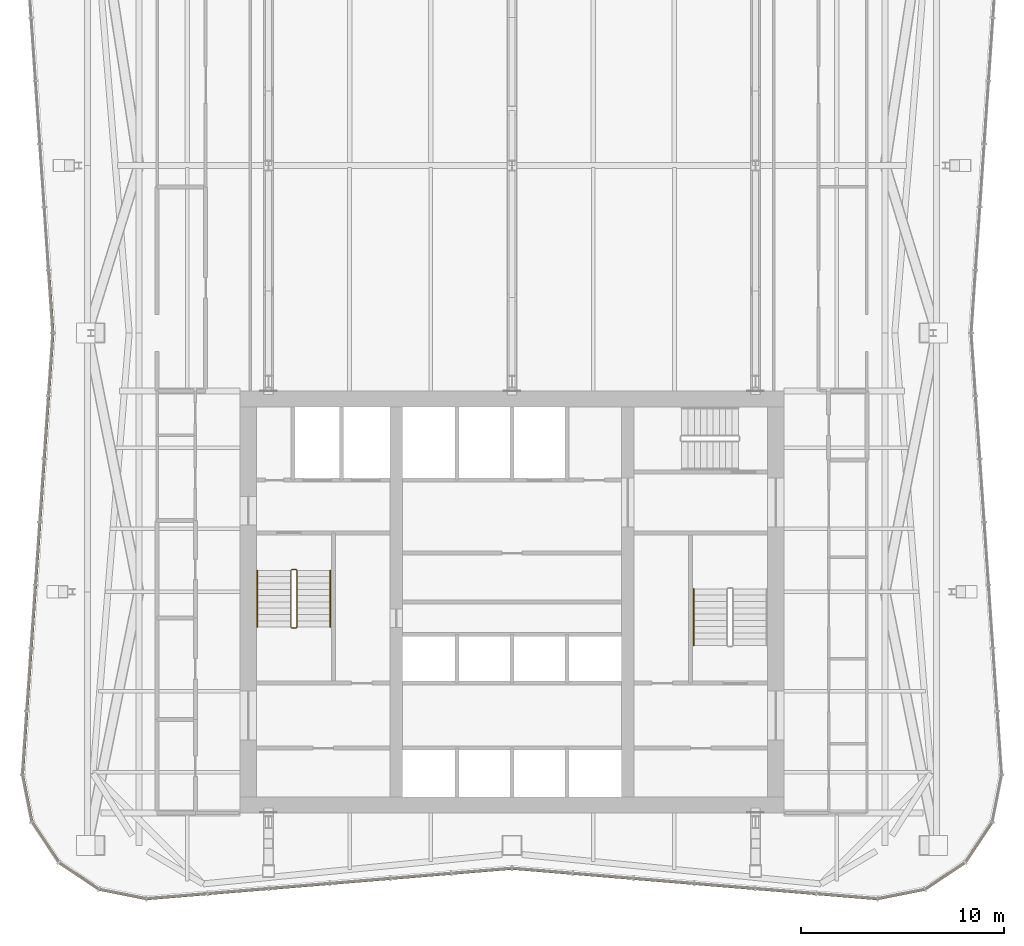
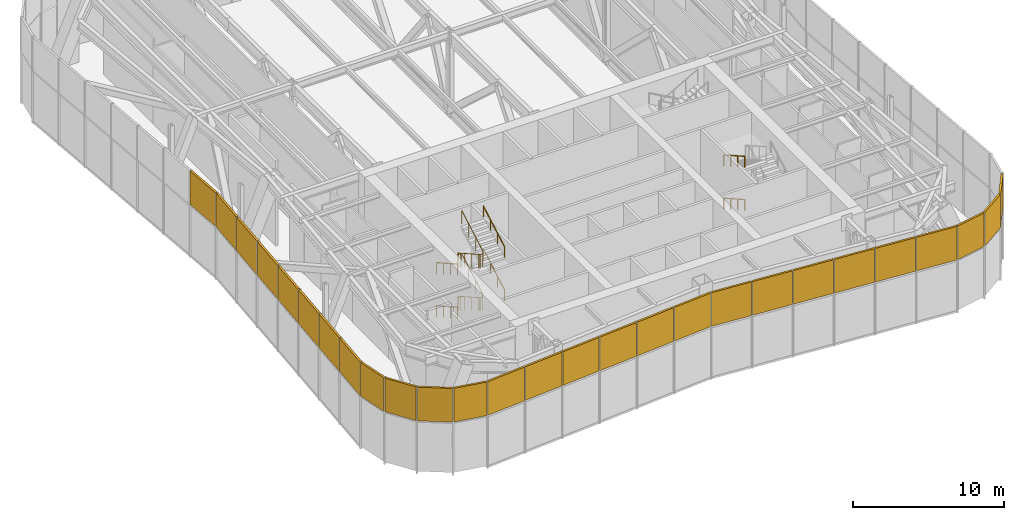
# One storey, part 15 of 17: 27 shading devices, 7 railings, 4 elements without a shape of their own.
"""IFC4 building model written with IfcOpenShell, lengths in metres."""

from ifc_helpers import new_model, si_unit, direction, frame, origin, origin_2d, place, context, subcontext, project, spatial, rectangle, circle, extrude, material, layer, layer_set, type_object, element, aggregate, save


model = new_model("IFC4")

# Units and contexts
model_context = context("Model", 3, precision=1e-05, world=origin(), true_north=direction((0.0, 1.0)))
body_context = subcontext(model_context, "Body", "Model", "MODEL_VIEW")
ifc_project = project(units=[si_unit("LENGTHUNIT", "METRE"), si_unit("AREAUNIT", "SQUARE_METRE"), si_unit("VOLUMEUNIT", "CUBIC_METRE"), si_unit("PLANEANGLEUNIT", "RADIAN"), si_unit("MASSUNIT", "GRAM", prefix="KILO")], contexts=[model_context])

# Site, building, storey
site_placement = place(None, origin())
site = spatial("IfcSite", under=ifc_project, at=site_placement, CompositionType="ELEMENT")
building_placement = place(site_placement, origin())
building = spatial("IfcBuilding", under=site, at=building_placement, Name="Verdant Reach Tower", CompositionType="ELEMENT")
storey_placement = place(building_placement, frame((0.0, 0.0, 282.0)))
storey = spatial("IfcBuildingStorey", under=building, at=storey_placement, Name="L65 Plant", CompositionType="ELEMENT", Elevation=282.0)

# Railings
ifc_material_1 = material(Name="Stainless steel", Category="steel")
railing_type_1 = type_object("IfcRailingType", Name="CO-GUARD", PredefinedType="GUARDRAIL", material=ifc_material_1)
railing_1_placement = place(storey_placement, frame((-10.64990234375, 29.60009765625, 0.0)))
element("IfcRailing", 1, at=railing_1_placement, inside=storey, type_object=railing_type_1, Name="L65 Plant ST-1 stair guard 1", PredefinedType="GUARDRAIL", context=body_context, shape_type="SweptSolid", body=[
    extrude(circle(Radius=0.02392578125, at=origin_2d()), frame((0.0, 0.0, 1.076171875), z_axis=(-1.0, 0.0, 0.0), x_axis=(0.0, -1.0, 0.0)), (0.0, 0.0, 1.0), 0.2001953125),
    extrude(circle(Radius=0.02392578125, at=origin_2d()), frame((-0.2001953125, 0.0, 1.076171875), z_axis=(-0.263862480399, -0.265155923931, 0.927399011991), x_axis=(0.708833529934, -0.705375805398, 0.0)), (0.0, 0.0, 1.0), 0.188720703125),
    extrude(circle(Radius=0.02392578125, at=origin_2d()), frame((-0.25, -0.050048828125, 1.2509765625), z_axis=(0.0, -0.870833779661, 0.491577591232), x_axis=(1.0, 0.0, 0.0)), (0.0, 0.0, 1.0), 3.203857421875),
    extrude(circle(Radius=0.02392578125, at=origin_2d()), frame((-0.25, -2.840087890625, 2.826171875), z_axis=(0.705375805398, -0.708833529934, 0.0), x_axis=(0.708833529934, 0.705375805398, 0.0)), (0.0, 0.0, 1.0), 0.070556640625),
    extrude(circle(Radius=0.02392578125, at=origin_2d()), frame((-0.2001953125, -2.89013671875, 2.826171875), z_axis=(1.0, 0.0, 0.0), x_axis=(0.0, 1.0, 0.0)), (0.0, 0.0, 1.0), 0.2001953125),
    extrude(circle(Radius=0.02392578125, at=origin_2d()), frame((0.0, -2.89013671875, 2.826171875), z_axis=(0.263862480399, 0.265155923931, 0.927399011991), x_axis=(-0.708833529934, 0.705375805398, 0.0)), (0.0, 0.0, 1.0), 0.188720703125),
    extrude(circle(Radius=0.02392578125, at=origin_2d()), frame((0.0498046875, -2.840087890625, 3.0009765625), z_axis=(0.0, 0.870833779661, 0.491577591232), x_axis=(-1.0, 0.0, 0.0)), (0.0, 0.0, 1.0), 3.203857421875),
    extrude(circle(Radius=0.02392578125, at=origin_2d()), frame((0.0498046875, -0.050048828125, 4.576171875), z_axis=(-0.705375805398, 0.708833529934, 0.0), x_axis=(-0.708833529934, -0.705375805398, 0.0)), (0.0, 0.0, 1.0), 0.070556640625),
    extrude(circle(Radius=0.02392578125, at=origin_2d()), frame((0.0, 0.0, 4.576171875), z_axis=(-1.0, 0.0, 0.0), x_axis=(0.0, -1.0, 0.0)), (0.0, 0.0, 1.0), 0.2001953125),
    extrude(circle(Radius=0.02392578125, at=origin_2d()), frame((-0.2001953125, 0.0, 4.576171875), z_axis=(-0.263862480399, -0.265155923931, 0.927399011991), x_axis=(0.708833529934, -0.705375805398, 0.0)), (0.0, 0.0, 1.0), 0.188720703125),
    extrude(circle(Radius=0.02392578125, at=origin_2d()), frame((-0.25, -0.050048828125, 4.7509765625), z_axis=(0.0, -0.870833779661, 0.491577591232), x_axis=(1.0, 0.0, 0.0)), (0.0, 0.0, 1.0), 3.203857421875),
    extrude(circle(Radius=0.02392578125, at=origin_2d()), frame((-0.25, -2.840087890625, 6.326171875), z_axis=(0.705375805398, -0.708833529934, 0.0), x_axis=(0.708833529934, 0.705375805398, 0.0)), (0.0, 0.0, 1.0), 0.070556640625),
    extrude(circle(Radius=0.02392578125, at=origin_2d()), frame((-0.2001953125, -2.89013671875, 6.326171875), z_axis=(1.0, 0.0, 0.0), x_axis=(0.0, 1.0, 0.0)), (0.0, 0.0, 1.0), 0.2001953125),
    extrude(circle(Radius=0.02392578125, at=origin_2d()), frame((0.0, -2.89013671875, 6.326171875), z_axis=(0.263862480399, 0.265155923931, 0.927399011991), x_axis=(-0.708833529934, 0.705375805398, 0.0)), (0.0, 0.0, 1.0), 0.188720703125),
    extrude(circle(Radius=0.02392578125, at=origin_2d()), frame((0.0498046875, -2.840087890625, 6.5009765625), z_axis=(0.0, 0.870833779661, 0.491577591232), x_axis=(-1.0, 0.0, 0.0)), (0.0, 0.0, 1.0), 3.203857421875),
    extrude(circle(Radius=0.02099609375, at=origin_2d()), origin(), (0.0, 0.0, 1.0), 1.052001953125),
    extrude(circle(Radius=0.02099609375, at=origin_2d()), frame((-0.2001953125, 0.0, 0.0)), (0.0, 0.0, 1.0), 1.052001953125),
    extrude(circle(Radius=0.02099609375, at=origin_2d()), frame((-0.25, -0.050048828125, 0.175048828125)), (0.0, 0.0, 1.0), 1.052001953125),
    extrude(circle(Radius=0.02099609375, at=origin_2d()), frame((-0.25, -0.97998046875, 0.699951171875)), (0.0, 0.0, 1.0), 1.052001953125),
    extrude(circle(Radius=0.02099609375, at=origin_2d()), frame((-0.25, -1.91015625, 1.22509765625)), (0.0, 0.0, 1.0), 1.052001953125),
    extrude(circle(Radius=0.02099609375, at=origin_2d()), frame((-0.25, -2.840087890625, 1.75)), (0.0, 0.0, 1.0), 1.052001953125),
    extrude(circle(Radius=0.02099609375, at=origin_2d()), frame((-0.2001953125, -2.89013671875, 1.75)), (0.0, 0.0, 1.0), 1.052001953125),
    extrude(circle(Radius=0.02099609375, at=origin_2d()), frame((0.0, -2.89013671875, 1.75)), (0.0, 0.0, 1.0), 1.052001953125),
    extrude(circle(Radius=0.02099609375, at=origin_2d()), frame((0.0498046875, -2.840087890625, 1.925048828125)), (0.0, 0.0, 1.0), 1.052001953125),
    extrude(circle(Radius=0.02099609375, at=origin_2d()), frame((0.0498046875, -1.91015625, 2.449951171875)), (0.0, 0.0, 1.0), 1.052001953125),
    extrude(circle(Radius=0.02099609375, at=origin_2d()), frame((0.0498046875, -0.97998046875, 2.97509765625)), (0.0, 0.0, 1.0), 1.052001953125),
    extrude(circle(Radius=0.02099609375, at=origin_2d()), frame((0.0498046875, -0.050048828125, 3.5)), (0.0, 0.0, 1.0), 1.052001953125),
    extrude(circle(Radius=0.02099609375, at=origin_2d()), frame((0.0, 0.0, 3.5)), (0.0, 0.0, 1.0), 1.052001953125),
    extrude(circle(Radius=0.02099609375, at=origin_2d()), frame((-0.2001953125, 0.0, 3.5)), (0.0, 0.0, 1.0), 1.052001953125),
    extrude(circle(Radius=0.02099609375, at=origin_2d()), frame((-0.25, -0.050048828125, 3.675048828125)), (0.0, 0.0, 1.0), 1.052001953125),
    extrude(circle(Radius=0.02099609375, at=origin_2d()), frame((-0.25, -0.97998046875, 4.199951171875)), (0.0, 0.0, 1.0), 1.052001953125),
    extrude(circle(Radius=0.02099609375, at=origin_2d()), frame((-0.25, -1.91015625, 4.72509765625)), (0.0, 0.0, 1.0), 1.052001953125),
    extrude(circle(Radius=0.02099609375, at=origin_2d()), frame((-0.25, -2.840087890625, 5.25)), (0.0, 0.0, 1.0), 1.052001953125),
    extrude(circle(Radius=0.02099609375, at=origin_2d()), frame((-0.2001953125, -2.89013671875, 5.25)), (0.0, 0.0, 1.0), 1.052001953125),
    extrude(circle(Radius=0.02099609375, at=origin_2d()), frame((0.0, -2.89013671875, 5.25)), (0.0, 0.0, 1.0), 1.052001953125),
    extrude(circle(Radius=0.02099609375, at=origin_2d()), frame((0.0498046875, -2.840087890625, 5.425048828125)), (0.0, 0.0, 1.0), 1.052001953125),
    extrude(circle(Radius=0.02099609375, at=origin_2d()), frame((0.0498046875, -1.91015625, 5.949951171875)), (0.0, 0.0, 1.0), 1.052001953125),
    extrude(circle(Radius=0.02099609375, at=origin_2d()), frame((0.0498046875, -0.97998046875, 6.47509765625)), (0.0, 0.0, 1.0), 1.052001953125),
    extrude(circle(Radius=0.02099609375, at=origin_2d()), frame((0.0498046875, -0.050048828125, 7.0)), (0.0, 0.0, 1.0), 1.052001953125),
])
railing_type_2 = type_object("IfcRailingType", Name="CO-HANDRAIL", PredefinedType="HANDRAIL", material=ifc_material_1)
railing_2_placement = place(storey_placement, frame((-12.550048828125, 29.550048828125, 0.175048828125)))
element("IfcRailing", 2, at=railing_2_placement, inside=storey, type_object=railing_type_2, Name="L65 Plant ST-1 stair handrail 1", PredefinedType="HANDRAIL", context=body_context, shape_type="SweptSolid", body=[
    extrude(circle(Radius=0.02392578125, at=origin_2d()), frame((0.0, 0.0, 0.8759765625), z_axis=(0.0, -0.870833779661, 0.491577591232), x_axis=(1.0, 0.0, 0.0)), (0.0, 0.0, 1.0), 3.203857421875),
    extrude(circle(Radius=0.02099609375, at=origin_2d()), origin(), (0.0, 0.0, 1.0), 0.851806640625),
    extrude(circle(Radius=0.02099609375, at=origin_2d()), frame((0.0, -0.929931640625, 0.52490234375)), (0.0, 0.0, 1.0), 0.851806640625),
    extrude(circle(Radius=0.02099609375, at=origin_2d()), frame((0.0, -1.860107421875, 1.050048828125)), (0.0, 0.0, 1.0), 0.851806640625),
    extrude(circle(Radius=0.02099609375, at=origin_2d()), frame((0.0, -2.7900390625, 1.574951171875)), (0.0, 0.0, 1.0), 0.851806640625),
])
railing_3_placement = place(storey_placement, frame((-8.949951171875, 26.760009765625, 1.925048828125)))
element("IfcRailing", 3, at=railing_3_placement, inside=storey, type_object=railing_type_2, Name="L65 Plant ST-1 stair handrail 2", PredefinedType="HANDRAIL", context=body_context, shape_type="SweptSolid", body=[
    extrude(circle(Radius=0.02392578125, at=origin_2d()), frame((0.0, 0.0, 0.8759765625), z_axis=(0.0, 0.870833779661, 0.491577591232), x_axis=(-1.0, 0.0, 0.0)), (0.0, 0.0, 1.0), 3.203857421875),
    extrude(circle(Radius=0.02099609375, at=origin_2d()), origin(), (0.0, 0.0, 1.0), 0.851806640625),
    extrude(circle(Radius=0.02099609375, at=origin_2d()), frame((0.0, 0.929931640625, 0.52490234375)), (0.0, 0.0, 1.0), 0.851806640625),
    extrude(circle(Radius=0.02099609375, at=origin_2d()), frame((0.0, 1.860107421875, 1.050048828125)), (0.0, 0.0, 1.0), 0.851806640625),
    extrude(circle(Radius=0.02099609375, at=origin_2d()), frame((0.0, 2.7900390625, 1.574951171875)), (0.0, 0.0, 1.0), 0.851806640625),
])
railing_4_placement = place(storey_placement, frame((-12.550048828125, 29.550048828125, 3.675048828125)))
element("IfcRailing", 4, at=railing_4_placement, inside=storey, type_object=railing_type_2, Name="L65 Plant ST-1 stair handrail 3", PredefinedType="HANDRAIL", context=body_context, shape_type="SweptSolid", body=[
    extrude(circle(Radius=0.02392578125, at=origin_2d()), frame((0.0, 0.0, 0.8759765625), z_axis=(0.0, -0.870833779661, 0.491577591232), x_axis=(1.0, 0.0, 0.0)), (0.0, 0.0, 1.0), 3.203857421875),
    extrude(circle(Radius=0.02099609375, at=origin_2d()), origin(), (0.0, 0.0, 1.0), 0.851806640625),
    extrude(circle(Radius=0.02099609375, at=origin_2d()), frame((0.0, -0.929931640625, 0.52490234375)), (0.0, 0.0, 1.0), 0.851806640625),
    extrude(circle(Radius=0.02099609375, at=origin_2d()), frame((0.0, -1.860107421875, 1.050048828125)), (0.0, 0.0, 1.0), 0.851806640625),
    extrude(circle(Radius=0.02099609375, at=origin_2d()), frame((0.0, -2.7900390625, 1.574951171875)), (0.0, 0.0, 1.0), 0.851806640625),
])
railing_5_placement = place(storey_placement, frame((-8.949951171875, 26.760009765625, 5.425048828125)))
element("IfcRailing", 5, at=railing_5_placement, inside=storey, type_object=railing_type_2, Name="L65 Plant ST-1 stair handrail 4", PredefinedType="HANDRAIL", context=body_context, shape_type="SweptSolid", body=[
    extrude(circle(Radius=0.02392578125, at=origin_2d()), frame((0.0, 0.0, 0.8759765625), z_axis=(0.0, 0.870833779661, 0.491577591232), x_axis=(-1.0, 0.0, 0.0)), (0.0, 0.0, 1.0), 3.203857421875),
    extrude(circle(Radius=0.02099609375, at=origin_2d()), origin(), (0.0, 0.0, 1.0), 0.851806640625),
    extrude(circle(Radius=0.02099609375, at=origin_2d()), frame((0.0, 0.929931640625, 0.52490234375)), (0.0, 0.0, 1.0), 0.851806640625),
    extrude(circle(Radius=0.02099609375, at=origin_2d()), frame((0.0, 1.860107421875, 1.050048828125)), (0.0, 0.0, 1.0), 0.851806640625),
    extrude(circle(Radius=0.02099609375, at=origin_2d()), frame((0.0, 2.7900390625, 1.574951171875)), (0.0, 0.0, 1.0), 0.851806640625),
])
for number, where, name in (
    (6, (8.949951171875, 28.639892578125, 1.925048828125), "L65 Plant ST-2 stair handrail 2"),
    (7, (8.949951171875, 28.639892578125, 5.425048828125), "L65 Plant ST-2 stair handrail 4"),
):
    element("IfcRailing", number, at=place(storey_placement, frame(where)), inside=storey, type_object=railing_type_2, Name=name, PredefinedType="HANDRAIL", context=body_context, shape_type="SweptSolid", body=[
        extrude(circle(Radius=0.02392578125, at=origin_2d()), frame((0.0, 0.0, 0.8759765625), z_axis=(0.0, -0.870815363784, 0.491610213684), x_axis=(1.0, 0.0, 0.0)), (0.0, 0.0, 1.0), 3.20361328125),
        extrude(circle(Radius=0.02099609375, at=origin_2d()), origin(), (0.0, 0.0, 1.0), 0.851806640625),
        extrude(circle(Radius=0.02099609375, at=origin_2d()), frame((0.0, -0.929931640625, 0.52490234375)), (0.0, 0.0, 1.0), 0.851806640625),
        extrude(circle(Radius=0.02099609375, at=origin_2d()), frame((0.0, -1.85986328125, 1.050048828125)), (0.0, 0.0, 1.0), 0.851806640625),
        extrude(circle(Radius=0.02099609375, at=origin_2d()), frame((0.0, -2.789794921875, 1.574951171875)), (0.0, 0.0, 1.0), 0.851806640625),
    ])

# Curtain wall, shading devices
ifc_material_2 = material(Name="Anodised aluminium", Category="aluminium")
curtain_wall_type = type_object("IfcCurtainWallType", Name="EN-CW SYSTEM PLANT", PredefinedType="NOTDEFINED", material=ifc_material_2)
curtain_wall_1_placement = place(storey_placement, origin())
curtain_wall_1 = element("IfcCurtainWall", 8, at=curtain_wall_1_placement, inside=storey, type_object=curtain_wall_type, Name="Curtain wall south-east corner, L65", PredefinedType="NOTDEFINED")
ifc_material_3 = material(Name="Bronze anodised aluminium louvre", Category="aluminium")
ifc_layer = layer(ifc_material_3, 0.14990234375)
ifc_layer_set = layer_set([ifc_layer], Name="EN-LOUVRE")
shading_device_type = type_object("IfcShadingDeviceType", Name="EN-LOUVRE", PredefinedType="USERDEFINED", material=ifc_layer_set)
shading_device_1_placement = place(storey_placement, frame((19.174072265625, 13.614013671875, 3.925048828125), z_axis=(0.0, 0.0, 1.0), x_axis=(0.980694678629, 0.195545256419, 0.0)))
shading_device_1 = element("IfcShadingDevice", 9, at=shading_device_1_placement, type_object=shading_device_type, Name="Louvre bank south-east corner 1, L65", ObjectType="LOUVRE", PredefinedType="USERDEFINED", context=body_context, shape_type="SweptSolid", body=[
    extrude(rectangle(XDim=2.304931640625, YDim=0.14990234375, at=origin_2d()), origin(), (0.0, 0.0, 1.0), 2.72509765625),
])
shading_device_2_placement = place(storey_placement, frame((21.334228515625, 14.510009765625, 3.925048828125), z_axis=(0.0, 0.0, 1.0), x_axis=(0.83145208321, 0.555596466265, 0.0)))
shading_device_2 = element("IfcShadingDevice", 10, at=shading_device_2_placement, type_object=shading_device_type, Name="Louvre bank south-east corner 2, L65", ObjectType="LOUVRE", PredefinedType="USERDEFINED", context=body_context, shape_type="SweptSolid", body=[
    extrude(rectangle(XDim=2.3115234375, YDim=0.14990234375, at=origin_2d()), origin(), (0.0, 0.0, 1.0), 2.72509765625),
])
shading_device_3_placement = place(storey_placement, frame((22.989990234375, 16.165771484375, 3.925048828125), z_axis=(0.0, 0.0, 1.0), x_axis=(0.555596466265, 0.83145208321, 0.0)))
shading_device_3 = element("IfcShadingDevice", 11, at=shading_device_3_placement, type_object=shading_device_type, Name="Louvre bank south-east corner 3, L65", ObjectType="LOUVRE", PredefinedType="USERDEFINED", context=body_context, shape_type="SweptSolid", body=[
    extrude(rectangle(XDim=2.3115234375, YDim=0.14990234375, at=origin_2d()), origin(), (0.0, 0.0, 1.0), 2.72509765625),
])
aggregate(curtain_wall_1, [shading_device_1, shading_device_2, shading_device_3])

curtain_wall_2_placement = place(storey_placement, origin())
curtain_wall_2 = element("IfcCurtainWall", 12, at=curtain_wall_2_placement, inside=storey, type_object=curtain_wall_type, Name="Curtain wall west, L65", PredefinedType="NOTDEFINED")
shading_device_4_placement = place(storey_placement, frame((-22.72607421875, 42.799560546875, 3.925048828125), z_axis=(0.0, 0.0, 1.0), x_axis=(0.068892655483, -0.997624078509, 0.0)))
shading_device_4 = element("IfcShadingDevice", 13, at=shading_device_4_placement, type_object=shading_device_type, Name="Louvre bank west face part 1 7, L65", ObjectType="LOUVRE", PredefinedType="USERDEFINED", context=body_context, shape_type="SweptSolid", body=[
    extrude(rectangle(XDim=3.0302734375, YDim=0.14990234375, at=origin_2d()), origin(), (0.0, 0.0, 1.0), 2.72509765625),
])
shading_device_5_placement = place(storey_placement, frame((-22.72607421875, 39.700439453125, 3.925048828125), z_axis=(0.0, 0.0, 1.0), x_axis=(-0.068892655483, -0.997624078509, 0.0)))
shading_device_5 = element("IfcShadingDevice", 14, at=shading_device_5_placement, type_object=shading_device_type, Name="Louvre bank west face part 2 1, L65", ObjectType="LOUVRE", PredefinedType="USERDEFINED", context=body_context, shape_type="SweptSolid", body=[
    extrude(rectangle(XDim=3.0302734375, YDim=0.14990234375, at=origin_2d()), origin(), (0.0, 0.0, 1.0), 2.72509765625),
])
shading_device_6_placement = place(storey_placement, frame((-22.940185546875, 36.597412109375, 3.925048828125), z_axis=(0.0, 0.0, 1.0), x_axis=(-0.068802091615, -0.997630328423, 0.0)))
shading_device_6 = element("IfcShadingDevice", 15, at=shading_device_6_placement, type_object=shading_device_type, Name="Louvre bank west face part 2 2, L65", ObjectType="LOUVRE", PredefinedType="USERDEFINED", context=body_context, shape_type="SweptSolid", body=[
    extrude(rectangle(XDim=3.03857421875, YDim=0.14990234375, at=origin_2d()), origin(), (0.0, 0.0, 1.0), 2.72509765625),
])
shading_device_7_placement = place(storey_placement, frame((-23.154541015625, 33.490234375, 3.925048828125), z_axis=(0.0, 0.0, 1.0), x_axis=(-0.068802091615, -0.997630328423, 0.0)))
shading_device_7 = element("IfcShadingDevice", 16, at=shading_device_7_placement, type_object=shading_device_type, Name="Louvre bank west face part 2 3, L65", ObjectType="LOUVRE", PredefinedType="USERDEFINED", context=body_context, shape_type="SweptSolid", body=[
    extrude(rectangle(XDim=3.03857421875, YDim=0.14990234375, at=origin_2d()), origin(), (0.0, 0.0, 1.0), 2.72509765625),
])
shading_device_8_placement = place(storey_placement, frame((-23.36865234375, 30.38330078125, 3.925048828125), z_axis=(0.0, 0.0, 1.0), x_axis=(-0.068802091615, -0.997630328423, 0.0)))
shading_device_8 = element("IfcShadingDevice", 17, at=shading_device_8_placement, type_object=shading_device_type, Name="Louvre bank west face part 2 4, L65", ObjectType="LOUVRE", PredefinedType="USERDEFINED", context=body_context, shape_type="SweptSolid", body=[
    extrude(rectangle(XDim=3.03857421875, YDim=0.14990234375, at=origin_2d()), origin(), (0.0, 0.0, 1.0), 2.72509765625),
])
shading_device_9_placement = place(storey_placement, frame((-23.5830078125, 27.276123046875, 3.925048828125), z_axis=(0.0, 0.0, 1.0), x_axis=(-0.068802091615, -0.997630328423, 0.0)))
shading_device_9 = element("IfcShadingDevice", 18, at=shading_device_9_placement, type_object=shading_device_type, Name="Louvre bank west face part 2 5, L65", ObjectType="LOUVRE", PredefinedType="USERDEFINED", context=body_context, shape_type="SweptSolid", body=[
    extrude(rectangle(XDim=3.03857421875, YDim=0.14990234375, at=origin_2d()), origin(), (0.0, 0.0, 1.0), 2.72509765625),
])
shading_device_10_placement = place(storey_placement, frame((-23.79736328125, 24.1689453125, 3.925048828125), z_axis=(0.0, 0.0, 1.0), x_axis=(-0.068802091615, -0.997630328423, 0.0)))
shading_device_10 = element("IfcShadingDevice", 19, at=shading_device_10_placement, type_object=shading_device_type, Name="Louvre bank west face part 2 6, L65", ObjectType="LOUVRE", PredefinedType="USERDEFINED", context=body_context, shape_type="SweptSolid", body=[
    extrude(rectangle(XDim=3.03857421875, YDim=0.14990234375, at=origin_2d()), origin(), (0.0, 0.0, 1.0), 2.72509765625),
])
shading_device_11_placement = place(storey_placement, frame((-24.011474609375, 21.053955078125, 3.925048828125), z_axis=(0.0, 0.0, 1.0), x_axis=(-0.068469163133, -0.997653233193, 0.0)))
shading_device_11 = element("IfcShadingDevice", 20, at=shading_device_11_placement, type_object=shading_device_type, Name="Louvre bank west face part 2 7, L65", ObjectType="LOUVRE", PredefinedType="USERDEFINED", context=body_context, shape_type="SweptSolid", body=[
    extrude(rectangle(XDim=3.05419921875, YDim=0.14990234375, at=origin_2d()), origin(), (0.0, 0.0, 1.0), 2.72509765625),
])
aggregate(curtain_wall_2, [shading_device_4, shading_device_5, shading_device_6, shading_device_7, shading_device_8, shading_device_9, shading_device_10, shading_device_11])

curtain_wall_3_placement = place(storey_placement, origin())
curtain_wall_3 = element("IfcCurtainWall", 21, at=curtain_wall_3_placement, inside=storey, type_object=curtain_wall_type, Name="Curtain wall south-west corner, L65", PredefinedType="NOTDEFINED")
shading_device_12_placement = place(storey_placement, frame((-23.885986328125, 18.325439453125, 3.925048828125), z_axis=(0.0, 0.0, 1.0), x_axis=(0.195592962334, -0.980685165119, 0.0)))
shading_device_12 = element("IfcShadingDevice", 22, at=shading_device_12_placement, type_object=shading_device_type, Name="Louvre bank south-west corner 1, L65", ObjectType="LOUVRE", PredefinedType="USERDEFINED", context=body_context, shape_type="SweptSolid", body=[
    extrude(rectangle(XDim=2.303955078125, YDim=0.14990234375, at=origin_2d()), origin(), (0.0, 0.0, 1.0), 2.72509765625),
])
shading_device_13_placement = place(storey_placement, frame((-22.989990234375, 16.165771484375, 3.925048828125), z_axis=(0.0, 0.0, 1.0), x_axis=(0.555596466265, -0.83145208321, 0.0)))
shading_device_13 = element("IfcShadingDevice", 23, at=shading_device_13_placement, type_object=shading_device_type, Name="Louvre bank south-west corner 2, L65", ObjectType="LOUVRE", PredefinedType="USERDEFINED", context=body_context, shape_type="SweptSolid", body=[
    extrude(rectangle(XDim=2.3115234375, YDim=0.14990234375, at=origin_2d()), origin(), (0.0, 0.0, 1.0), 2.72509765625),
])
shading_device_14_placement = place(storey_placement, frame((-21.334228515625, 14.510009765625, 3.925048828125), z_axis=(0.0, 0.0, 1.0), x_axis=(0.83145208321, -0.555596466265, 0.0)))
shading_device_14 = element("IfcShadingDevice", 24, at=shading_device_14_placement, type_object=shading_device_type, Name="Louvre bank south-west corner 3, L65", ObjectType="LOUVRE", PredefinedType="USERDEFINED", context=body_context, shape_type="SweptSolid", body=[
    extrude(rectangle(XDim=2.3115234375, YDim=0.14990234375, at=origin_2d()), origin(), (0.0, 0.0, 1.0), 2.72509765625),
])
shading_device_15_placement = place(storey_placement, frame((-19.174072265625, 13.614013671875, 3.925048828125), z_axis=(0.0, 0.0, 1.0), x_axis=(0.980694678629, -0.195545256419, 0.0)))
shading_device_15 = element("IfcShadingDevice", 25, at=shading_device_15_placement, type_object=shading_device_type, Name="Louvre bank south-west corner 4, L65", ObjectType="LOUVRE", PredefinedType="USERDEFINED", context=body_context, shape_type="SweptSolid", body=[
    extrude(rectangle(XDim=2.304931640625, YDim=0.14990234375, at=origin_2d()), origin(), (0.0, 0.0, 1.0), 2.72509765625),
])
aggregate(curtain_wall_3, [shading_device_12, shading_device_13, shading_device_14, shading_device_15])

curtain_wall_4_placement = place(storey_placement, origin())
curtain_wall_4 = element("IfcCurtainWall", 26, at=curtain_wall_4_placement, inside=storey, type_object=curtain_wall_type, Name="Curtain wall south, L65", PredefinedType="NOTDEFINED")
shading_device_16_placement = place(storey_placement, frame((-16.49853515625, 13.50634765625, 3.925048828125), z_axis=(0.0, 0.0, 1.0), x_axis=(0.996577509664, 0.082663578629, 0.0)))
shading_device_16 = element("IfcShadingDevice", 27, at=shading_device_16_placement, type_object=shading_device_type, Name="Louvre bank south face part 1 1, L65", ObjectType="LOUVRE", PredefinedType="USERDEFINED", context=body_context, shape_type="SweptSolid", body=[
    extrude(rectangle(XDim=2.950927734375, YDim=0.14990234375, at=origin_2d()), origin(), (0.0, 0.0, 1.0), 2.72509765625),
])
shading_device_17_placement = place(storey_placement, frame((-13.490234375, 13.75634765625, 3.925048828125), z_axis=(0.0, 0.0, 1.0), x_axis=(0.996545758244, 0.083045479859, 0.0)))
shading_device_17 = element("IfcShadingDevice", 28, at=shading_device_17_placement, type_object=shading_device_type, Name="Louvre bank south face part 1 2, L65", ObjectType="LOUVRE", PredefinedType="USERDEFINED", context=body_context, shape_type="SweptSolid", body=[
    extrude(rectangle(XDim=2.934326171875, YDim=0.14990234375, at=origin_2d()), origin(), (0.0, 0.0, 1.0), 2.72509765625),
])
shading_device_18_placement = place(storey_placement, frame((-10.490234375, 14.00634765625, 3.925048828125), z_axis=(0.0, 0.0, 1.0), x_axis=(0.996545758244, 0.083045479859, 0.0)))
shading_device_18 = element("IfcShadingDevice", 29, at=shading_device_18_placement, type_object=shading_device_type, Name="Louvre bank south face part 1 3, L65", ObjectType="LOUVRE", PredefinedType="USERDEFINED", context=body_context, shape_type="SweptSolid", body=[
    extrude(rectangle(XDim=2.934326171875, YDim=0.14990234375, at=origin_2d()), origin(), (0.0, 0.0, 1.0), 2.72509765625),
])
shading_device_19_placement = place(storey_placement, frame((-7.490234375, 14.25634765625, 3.925048828125), z_axis=(0.0, 0.0, 1.0), x_axis=(0.996545758244, 0.083045479859, 0.0)))
shading_device_19 = element("IfcShadingDevice", 30, at=shading_device_19_placement, type_object=shading_device_type, Name="Louvre bank south face part 1 4, L65", ObjectType="LOUVRE", PredefinedType="USERDEFINED", context=body_context, shape_type="SweptSolid", body=[
    extrude(rectangle(XDim=2.934326171875, YDim=0.14990234375, at=origin_2d()), origin(), (0.0, 0.0, 1.0), 2.72509765625),
])
shading_device_20_placement = place(storey_placement, frame((-4.490234375, 14.50634765625, 3.925048828125), z_axis=(0.0, 0.0, 1.0), x_axis=(0.996545758244, 0.083045479859, 0.0)))
shading_device_20 = element("IfcShadingDevice", 31, at=shading_device_20_placement, type_object=shading_device_type, Name="Louvre bank south face part 1 5, L65", ObjectType="LOUVRE", PredefinedType="USERDEFINED", context=body_context, shape_type="SweptSolid", body=[
    extrude(rectangle(XDim=2.934326171875, YDim=0.14990234375, at=origin_2d()), origin(), (0.0, 0.0, 1.0), 2.72509765625),
])
shading_device_21_placement = place(storey_placement, frame((-1.4951171875, 14.756103515625, 3.925048828125), z_axis=(0.0, 0.0, 1.0), x_axis=(0.996534372104, 0.083182000546, 0.0)))
shading_device_21 = element("IfcShadingDevice", 32, at=shading_device_21_placement, type_object=shading_device_type, Name="Louvre bank south face part 1 6, L65", ObjectType="LOUVRE", PredefinedType="USERDEFINED", context=body_context, shape_type="SweptSolid", body=[
    extrude(rectangle(XDim=2.924560546875, YDim=0.14990234375, at=origin_2d()), origin(), (0.0, 0.0, 1.0), 2.72509765625),
])
shading_device_22_placement = place(storey_placement, frame((1.4951171875, 14.756103515625, 3.925048828125), z_axis=(0.0, 0.0, 1.0), x_axis=(0.996534372104, -0.083182000546, 0.0)))
shading_device_22 = element("IfcShadingDevice", 33, at=shading_device_22_placement, type_object=shading_device_type, Name="Louvre bank south face part 2 1, L65", ObjectType="LOUVRE", PredefinedType="USERDEFINED", context=body_context, shape_type="SweptSolid", body=[
    extrude(rectangle(XDim=2.924560546875, YDim=0.14990234375, at=origin_2d()), origin(), (0.0, 0.0, 1.0), 2.72509765625),
])
shading_device_23_placement = place(storey_placement, frame((4.490234375, 14.50634765625, 3.925048828125), z_axis=(0.0, 0.0, 1.0), x_axis=(0.996545758244, -0.083045479859, 0.0)))
shading_device_23 = element("IfcShadingDevice", 34, at=shading_device_23_placement, type_object=shading_device_type, Name="Louvre bank south face part 2 2, L65", ObjectType="LOUVRE", PredefinedType="USERDEFINED", context=body_context, shape_type="SweptSolid", body=[
    extrude(rectangle(XDim=2.934326171875, YDim=0.14990234375, at=origin_2d()), origin(), (0.0, 0.0, 1.0), 2.72509765625),
])
shading_device_24_placement = place(storey_placement, frame((7.490234375, 14.25634765625, 3.925048828125), z_axis=(0.0, 0.0, 1.0), x_axis=(0.996545758244, -0.083045479859, 0.0)))
shading_device_24 = element("IfcShadingDevice", 35, at=shading_device_24_placement, type_object=shading_device_type, Name="Louvre bank south face part 2 3, L65", ObjectType="LOUVRE", PredefinedType="USERDEFINED", context=body_context, shape_type="SweptSolid", body=[
    extrude(rectangle(XDim=2.934326171875, YDim=0.14990234375, at=origin_2d()), origin(), (0.0, 0.0, 1.0), 2.72509765625),
])
shading_device_25_placement = place(storey_placement, frame((10.490234375, 14.00634765625, 3.925048828125), z_axis=(0.0, 0.0, 1.0), x_axis=(0.996545758244, -0.083045479859, 0.0)))
shading_device_25 = element("IfcShadingDevice", 36, at=shading_device_25_placement, type_object=shading_device_type, Name="Louvre bank south face part 2 4, L65", ObjectType="LOUVRE", PredefinedType="USERDEFINED", context=body_context, shape_type="SweptSolid", body=[
    extrude(rectangle(XDim=2.934326171875, YDim=0.14990234375, at=origin_2d()), origin(), (0.0, 0.0, 1.0), 2.72509765625),
])
shading_device_26_placement = place(storey_placement, frame((13.490234375, 13.75634765625, 3.925048828125), z_axis=(0.0, 0.0, 1.0), x_axis=(0.996545758244, -0.083045479859, 0.0)))
shading_device_26 = element("IfcShadingDevice", 37, at=shading_device_26_placement, type_object=shading_device_type, Name="Louvre bank south face part 2 5, L65", ObjectType="LOUVRE", PredefinedType="USERDEFINED", context=body_context, shape_type="SweptSolid", body=[
    extrude(rectangle(XDim=2.934326171875, YDim=0.14990234375, at=origin_2d()), origin(), (0.0, 0.0, 1.0), 2.72509765625),
])
shading_device_27_placement = place(storey_placement, frame((16.49853515625, 13.50634765625, 3.925048828125), z_axis=(0.0, 0.0, 1.0), x_axis=(0.996577509664, -0.082663578629, 0.0)))
shading_device_27 = element("IfcShadingDevice", 38, at=shading_device_27_placement, type_object=shading_device_type, Name="Louvre bank south face part 2 6, L65", ObjectType="LOUVRE", PredefinedType="USERDEFINED", context=body_context, shape_type="SweptSolid", body=[
    extrude(rectangle(XDim=2.950927734375, YDim=0.14990234375, at=origin_2d()), origin(), (0.0, 0.0, 1.0), 2.72509765625),
])
aggregate(curtain_wall_4, [shading_device_16, shading_device_17, shading_device_18, shading_device_19, shading_device_20, shading_device_21, shading_device_22, shading_device_23, shading_device_24, shading_device_25, shading_device_26, shading_device_27])

save(model, "model.ifc")
